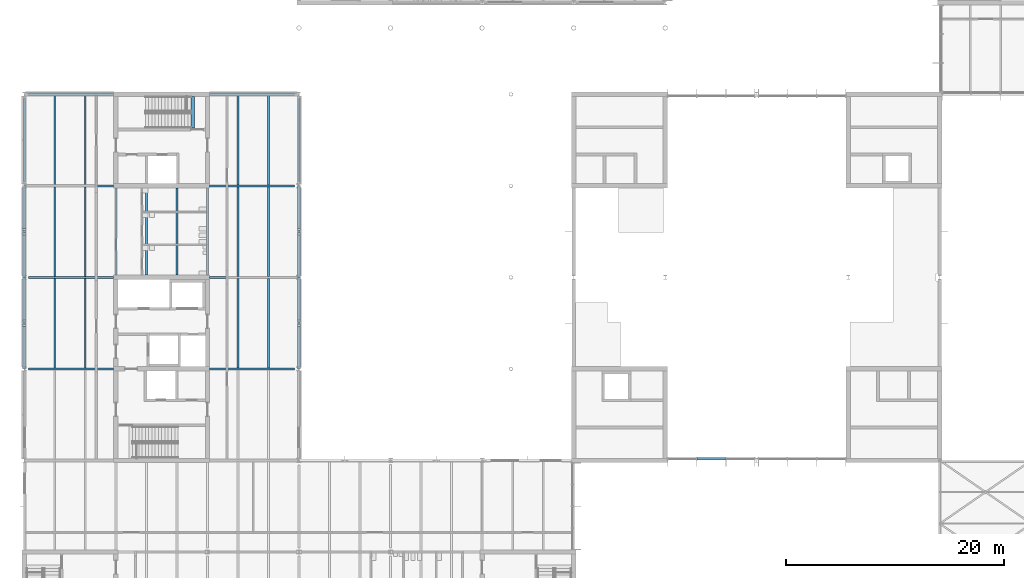
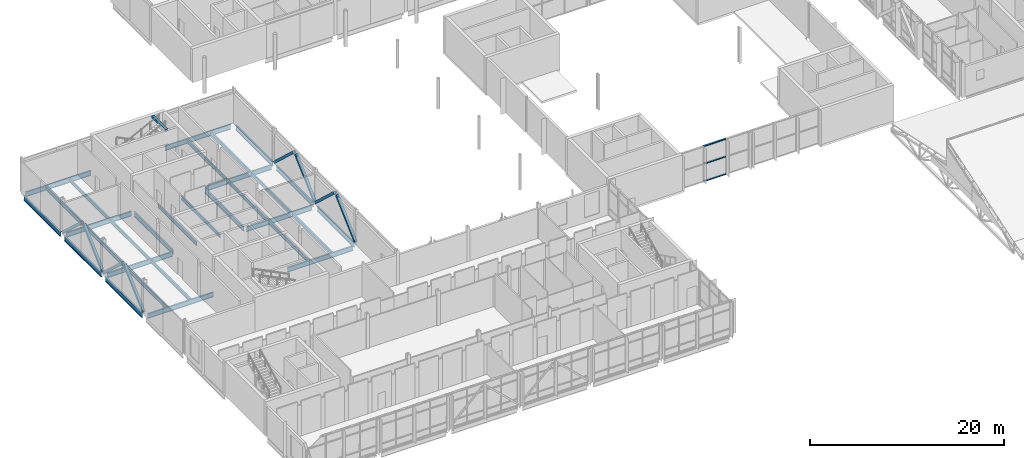
# One storey, part 16 of 89: 31 beams, 11 members, 1 element without a shape of its own.
"""IFC4 building model written with IfcOpenShell, lengths in metres."""

from ifc_helpers import new_model, si_unit, direction, frame, origin, origin_2d, place, context, subcontext, project, spatial, rectangle, hollow_rectangle, i_section, extrude, material, material_profile, profile_set, type_object, element, aggregate, save


model = new_model("IFC4")

# Units and contexts
model_context = context("Model", 3, precision=1e-05, world=origin(), true_north=direction((0.0, 1.0)))
body_context = subcontext(model_context, "Body", "Model", "MODEL_VIEW")
ifc_project = project(units=[si_unit("LENGTHUNIT", "METRE"), si_unit("AREAUNIT", "SQUARE_METRE"), si_unit("VOLUMEUNIT", "CUBIC_METRE"), si_unit("PLANEANGLEUNIT", "RADIAN"), si_unit("MASSUNIT", "GRAM", prefix="KILO")], contexts=[model_context])

# Site, building, storey
site_placement = place(None, origin())
site = spatial("IfcSite", under=ifc_project, at=site_placement, CompositionType="ELEMENT")
building_placement = place(site_placement, origin())
building = spatial("IfcBuilding", under=site, at=building_placement, Name="Hlaing Beacon Police Headquarters", CompositionType="ELEMENT")
storey_placement = place(building_placement, frame((0.0, 0.0, 9.89990234375)))
storey = spatial("IfcBuildingStorey", under=building, at=storey_placement, Name="L02", CompositionType="ELEMENT", Elevation=9.89990234375)

# Members
ifc_material_1 = material(Name="Steel ASTM A500 Grade C", Category="steel")
ifc_material_profile_1 = material_profile(ifc_material_1, hollow_rectangle(XDim=0.3046875, YDim=0.3046875, WallThickness=0.015869140625, at=origin_2d()), Name="HSS12x12x5/8")
ifc_profile_set_1 = profile_set([ifc_material_profile_1], Name="Steel ASTM A500 Grade C")
member_type_1 = type_object("IfcMemberType", Name="Chevron brace HSS12x12x5/8", PredefinedType="BRACE", material=ifc_profile_set_1)
for number, where, z_axis, x_axis, name in (
    (1, (8.39990234375, 42.087890625, 0.112060546875), (0.0, 0.733122566233, 0.680096539382), (-1.0, 0.0, 0.0), "STR-BR-L02-B6a"),
    (2, (8.39990234375, 50.31201171875, 0.112060546875), (0.0, -0.733122566233, 0.680096539382), (1.0, 0.0, 0.0), "STR-BR-L02-B6b"),
):
    element("IfcMember", number, at=place(storey_placement, frame(where, z_axis=z_axis, x_axis=x_axis)), inside=storey, type_object=member_type_1, Name=name, PredefinedType="BRACE", context=body_context, shape_type="SweptSolid", body=[
        extrude(hollow_rectangle(XDim=0.3046875, YDim=0.3046875, WallThickness=0.015869140625, at=origin_2d()), origin(), (0.0, 0.0, 1.0), 5.336181640625),
    ])
for number, where, z_axis, x_axis, name in (
    (3, (8.39990234375, 50.488037109375, 0.112060546875), (0.0, 0.733101403652, 0.680119351263), (-1.0, 0.0, 0.0), "STR-BR-L02-B7a"),
    (4, (8.39990234375, 58.7119140625, 0.112060546875), (0.0, -0.733101403652, 0.680119351263), (1.0, 0.0, 0.0), "STR-BR-L02-B7b"),
):
    element("IfcMember", number, at=place(storey_placement, frame(where, z_axis=z_axis, x_axis=x_axis)), inside=storey, type_object=member_type_1, Name=name, PredefinedType="BRACE", context=body_context, shape_type="SweptSolid", body=[
        extrude(hollow_rectangle(XDim=0.3046875, YDim=0.3046875, WallThickness=0.015869140625, at=origin_2d()), origin(), (0.0, 0.0, 1.0), 5.3359375),
    ])
for number, where, z_axis, x_axis, name in (
    (5, (33.60009765625, 42.087890625, 0.112060546875), (0.0, 0.733122566233, 0.680096539382), (-1.0, 0.0, 0.0), "STR-BR-L02-E6a"),
    (6, (33.60009765625, 50.31201171875, 0.112060546875), (0.0, -0.733122566233, 0.680096539382), (1.0, 0.0, 0.0), "STR-BR-L02-E6b"),
):
    element("IfcMember", number, at=place(storey_placement, frame(where, z_axis=z_axis, x_axis=x_axis)), inside=storey, type_object=member_type_1, Name=name, PredefinedType="BRACE", context=body_context, shape_type="SweptSolid", body=[
        extrude(hollow_rectangle(XDim=0.3046875, YDim=0.3046875, WallThickness=0.015869140625, at=origin_2d()), origin(), (0.0, 0.0, 1.0), 5.336181640625),
    ])
for number, where, z_axis, x_axis, name in (
    (7, (33.60009765625, 50.488037109375, 0.112060546875), (0.0, 0.733101403652, 0.680119351263), (-1.0, 0.0, 0.0), "STR-BR-L02-E7a"),
    (8, (33.60009765625, 58.7119140625, 0.112060546875), (0.0, -0.733101403652, 0.680119351263), (1.0, 0.0, 0.0), "STR-BR-L02-E7b"),
):
    element("IfcMember", number, at=place(storey_placement, frame(where, z_axis=z_axis, x_axis=x_axis)), inside=storey, type_object=member_type_1, Name=name, PredefinedType="BRACE", context=body_context, shape_type="SweptSolid", body=[
        extrude(hollow_rectangle(XDim=0.3046875, YDim=0.3046875, WallThickness=0.015869140625, at=origin_2d()), origin(), (0.0, 0.0, 1.0), 5.3359375),
    ])

# Beams
ifc_material_2 = material(Name="Steel ASTM A992 Grade 50", Category="steel")
ifc_material_profile_2 = material_profile(ifc_material_2, i_section(OverallWidth=0.177978515625, OverallDepth=0.599365234375, WebThickness=0.010009765625, FlangeThickness=0.012939453125, FilletRadius=0.012939453125, at=origin_2d()), Name="W24x55")
ifc_profile_set_2 = profile_set([ifc_material_profile_2], Name="Steel ASTM A992 Grade 50")
beam_type_1 = type_object("IfcBeamType", Name="Girder W24x55", PredefinedType="BEAM", material=ifc_profile_set_2)
for number, where, z_axis, x_axis, name in (
    (9, (8.800048828125, 42.0, -0.4296875), (1.0, 0.0, 0.0), (0.0, 1.0, 0.0), "STR-BM-L02-GX-B6-C6"),
    (10, (25.39990234375, 42.0, -0.4296875), (1.0, 0.0, 0.0), (0.0, 1.0, 0.0), "STR-BM-L02-GX-D6-E6"),
    (11, (8.800048828125, 50.39990234375, -0.4296875), (1.0, 0.0, 0.0), (0.0, 1.0, 0.0), "STR-BM-L02-GX-B7-C7"),
    (12, (25.39990234375, 50.39990234375, -0.4296875), (1.0, 0.0, 0.0), (0.0, 1.0, 0.0), "STR-BM-L02-GX-D7-E7"),
    (13, (8.800048828125, 58.800048828125, -0.4296875), (1.0, 0.0, 0.0), (0.0, 1.0, 0.0), "STR-BM-L02-GX-B8-C8"),
    (14, (25.39990234375, 58.800048828125, -0.4296875), (1.0, 0.0, 0.0), (0.0, 1.0, 0.0), "STR-BM-L02-GX-D8-E8"),
    (15, (8.800048828125, 67.199951171875, -0.4296875), (1.0, 0.0, 0.0), (0.0, 1.0, 0.0), "STR-BM-L02-GX-B9-C9"),
    (16, (25.39990234375, 67.199951171875, -0.4296875), (1.0, 0.0, 0.0), (0.0, 1.0, 0.0), "STR-BM-L02-GX-D9-E9"),
):
    element("IfcBeam", number, at=place(storey_placement, frame(where, z_axis=z_axis, x_axis=x_axis)), inside=storey, type_object=beam_type_1, Name=name, PredefinedType="BEAM", context=body_context, shape_type="SweptSolid", body=[
        extrude(i_section(OverallWidth=0.177978515625, OverallDepth=0.599365234375, WebThickness=0.010009765625, FlangeThickness=0.012939453125, FilletRadius=0.012939453125, at=origin_2d()), origin(), (0.0, 0.0, 1.0), 7.800048828125),
    ])
beam_1_placement = place(storey_placement, frame((8.39990234375, 42.39990234375, -0.4296875), z_axis=(0.0, 1.0, 0.0), x_axis=(-1.0, 0.0, 0.0)))
element("IfcBeam", 17, at=beam_1_placement, inside=storey, type_object=beam_type_1, Name="STR-BM-L02-GY-B6-B7", PredefinedType="BEAM", context=body_context, shape_type="SweptSolid", body=[
    extrude(i_section(OverallWidth=0.177978515625, OverallDepth=0.599365234375, WebThickness=0.010009765625, FlangeThickness=0.012939453125, FilletRadius=0.012939453125, at=origin_2d()), origin(), (0.0, 0.0, 1.0), 7.60009765625),
])
beam_2_placement = place(storey_placement, frame((8.39990234375, 50.800048828125, -0.4296875), z_axis=(0.0, 1.0, 0.0), x_axis=(-1.0, 0.0, 0.0)))
element("IfcBeam", 18, at=beam_2_placement, inside=storey, type_object=beam_type_1, Name="STR-BM-L02-GY-B7-B8", PredefinedType="BEAM", context=body_context, shape_type="SweptSolid", body=[
    extrude(i_section(OverallWidth=0.177978515625, OverallDepth=0.599365234375, WebThickness=0.010009765625, FlangeThickness=0.012939453125, FilletRadius=0.012939453125, at=origin_2d()), origin(), (0.0, 0.0, 1.0), 7.599853515625),
])
beam_3_placement = place(storey_placement, frame((8.39990234375, 59.199951171875, -0.4296875), z_axis=(0.0, 1.0, 0.0), x_axis=(-1.0, 0.0, 0.0)))
element("IfcBeam", 19, at=beam_3_placement, inside=storey, type_object=beam_type_1, Name="STR-BM-L02-GY-B8-B9", PredefinedType="BEAM", context=body_context, shape_type="SweptSolid", body=[
    extrude(i_section(OverallWidth=0.177978515625, OverallDepth=0.599365234375, WebThickness=0.010009765625, FlangeThickness=0.012939453125, FilletRadius=0.012939453125, at=origin_2d()), origin(), (0.0, 0.0, 1.0), 7.60009765625),
])
for number, where, z_axis, x_axis, name in (
    (20, (16.800048828125, 50.60009765625, -0.4296875), (0.0, 1.0, 0.0), (-1.0, 0.0, 0.0), "STR-BM-L02-GY-C7-C8"),
    (21, (25.199951171875, 50.60009765625, -0.4296875), (0.0, 1.0, 0.0), (-1.0, 0.0, 0.0), "STR-BM-L02-GY-D7-D8"),
):
    element("IfcBeam", number, at=place(storey_placement, frame(where, z_axis=z_axis, x_axis=x_axis)), inside=storey, type_object=beam_type_1, Name=name, PredefinedType="BEAM", context=body_context, shape_type="SweptSolid", body=[
        extrude(i_section(OverallWidth=0.177978515625, OverallDepth=0.599365234375, WebThickness=0.010009765625, FlangeThickness=0.012939453125, FilletRadius=0.012939453125, at=origin_2d()), origin(), (0.0, 0.0, 1.0), 8.0),
    ])
beam_4_placement = place(storey_placement, frame((33.60009765625, 42.39990234375, -0.4296875), z_axis=(0.0, 1.0, 0.0), x_axis=(-1.0, 0.0, 0.0)))
element("IfcBeam", 22, at=beam_4_placement, inside=storey, type_object=beam_type_1, Name="STR-BM-L02-GY-E6-E7", PredefinedType="BEAM", context=body_context, shape_type="SweptSolid", body=[
    extrude(i_section(OverallWidth=0.177978515625, OverallDepth=0.599365234375, WebThickness=0.010009765625, FlangeThickness=0.012939453125, FilletRadius=0.012939453125, at=origin_2d()), origin(), (0.0, 0.0, 1.0), 7.60009765625),
])
beam_5_placement = place(storey_placement, frame((33.60009765625, 50.800048828125, -0.4296875), z_axis=(0.0, 1.0, 0.0), x_axis=(-1.0, 0.0, 0.0)))
element("IfcBeam", 23, at=beam_5_placement, inside=storey, type_object=beam_type_1, Name="STR-BM-L02-GY-E7-E8", PredefinedType="BEAM", context=body_context, shape_type="SweptSolid", body=[
    extrude(i_section(OverallWidth=0.177978515625, OverallDepth=0.599365234375, WebThickness=0.010009765625, FlangeThickness=0.012939453125, FilletRadius=0.012939453125, at=origin_2d()), origin(), (0.0, 0.0, 1.0), 7.599853515625),
])
beam_6_placement = place(storey_placement, frame((33.60009765625, 59.199951171875, -0.4296875), z_axis=(0.0, 1.0, 0.0), x_axis=(-1.0, 0.0, 0.0)))
element("IfcBeam", 24, at=beam_6_placement, inside=storey, type_object=beam_type_1, Name="STR-BM-L02-GY-E8-E9", PredefinedType="BEAM", context=body_context, shape_type="SweptSolid", body=[
    extrude(i_section(OverallWidth=0.177978515625, OverallDepth=0.599365234375, WebThickness=0.010009765625, FlangeThickness=0.012939453125, FilletRadius=0.012939453125, at=origin_2d()), origin(), (0.0, 0.0, 1.0), 7.60009765625),
])
ifc_material_3 = material(Name="Steel ASTM A992 Grade 50", Category="steel")
ifc_material_profile_3 = material_profile(ifc_material_3, i_section(OverallWidth=0.15234375, OverallDepth=0.449462890625, WebThickness=0.007568359375, FlangeThickness=0.0107421875, FilletRadius=0.01025390625, at=origin_2d()), Name="W18x35")
ifc_profile_set_3 = profile_set([ifc_material_profile_3], Name="Steel ASTM A992 Grade 50")
beam_type_2 = type_object("IfcBeamType", Name="Secondary beam W18x35", PredefinedType="BEAM", material=ifc_profile_set_3)
for number, where, z_axis, x_axis, name in (
    (25, (11.199951171875, 42.089111328125, -0.354736328125), (0.0, 1.0, 0.0), (-1.0, 0.0, 0.0), "STR-BM-L02-SB-B6-y1"),
    (26, (14.0, 42.089111328125, -0.354736328125), (0.0, 1.0, 0.0), (-1.0, 0.0, 0.0), "STR-BM-L02-SB-B6-y2"),
    (27, (11.199951171875, 50.489013671875, -0.354736328125), (0.0, 1.0, 0.0), (-1.0, 0.0, 0.0), "STR-BM-L02-SB-B7-y1"),
    (28, (14.0, 50.489013671875, -0.354736328125), (0.0, 1.0, 0.0), (-1.0, 0.0, 0.0), "STR-BM-L02-SB-B7-y2"),
):
    element("IfcBeam", number, at=place(storey_placement, frame(where, z_axis=z_axis, x_axis=x_axis)), inside=storey, type_object=beam_type_2, Name=name, PredefinedType="BEAM", context=body_context, shape_type="SweptSolid", body=[
        extrude(i_section(OverallWidth=0.15234375, OverallDepth=0.449462890625, WebThickness=0.007568359375, FlangeThickness=0.0107421875, FilletRadius=0.01025390625, at=origin_2d()), origin(), (0.0, 0.0, 1.0), 8.221923828125),
    ])
for number, where, z_axis, x_axis, name in (
    (29, (11.199951171875, 58.888916015625, -0.354736328125), (0.0, 1.0, 0.0), (-1.0, 0.0, 0.0), "STR-BM-L02-SB-B8-y1"),
    (30, (14.0, 58.888916015625, -0.354736328125), (0.0, 1.0, 0.0), (-1.0, 0.0, 0.0), "STR-BM-L02-SB-B8-y2"),
):
    element("IfcBeam", number, at=place(storey_placement, frame(where, z_axis=z_axis, x_axis=x_axis)), inside=storey, type_object=beam_type_2, Name=name, PredefinedType="BEAM", context=body_context, shape_type="SweptSolid", body=[
        extrude(i_section(OverallWidth=0.15234375, OverallDepth=0.449462890625, WebThickness=0.007568359375, FlangeThickness=0.0107421875, FilletRadius=0.01025390625, at=origin_2d()), origin(), (0.0, 0.0, 1.0), 8.22216796875),
    ])
for number, where, z_axis, x_axis, name in (
    (31, (19.60009765625, 50.60009765625, -0.354736328125), (0.0, 1.0, 0.0), (-1.0, 0.0, 0.0), "STR-BM-L02-SB-C7-y1"),
    (32, (22.39990234375, 50.60009765625, -0.354736328125), (0.0, 1.0, 0.0), (-1.0, 0.0, 0.0), "STR-BM-L02-SB-C7-y2"),
):
    element("IfcBeam", number, at=place(storey_placement, frame(where, z_axis=z_axis, x_axis=x_axis)), inside=storey, type_object=beam_type_2, Name=name, PredefinedType="BEAM", context=body_context, shape_type="SweptSolid", body=[
        extrude(i_section(OverallWidth=0.15234375, OverallDepth=0.449462890625, WebThickness=0.007568359375, FlangeThickness=0.0107421875, FilletRadius=0.01025390625, at=origin_2d()), origin(), (0.0, 0.0, 1.0), 8.0),
    ])
for number, where, z_axis, x_axis, name in (
    (33, (28.0, 42.089111328125, -0.354736328125), (0.0, 1.0, 0.0), (-1.0, 0.0, 0.0), "STR-BM-L02-SB-D6-y1"),
    (34, (30.800048828125, 42.089111328125, -0.354736328125), (0.0, 1.0, 0.0), (-1.0, 0.0, 0.0), "STR-BM-L02-SB-D6-y2"),
    (35, (28.0, 50.489013671875, -0.354736328125), (0.0, 1.0, 0.0), (-1.0, 0.0, 0.0), "STR-BM-L02-SB-D7-y1"),
    (36, (30.800048828125, 50.489013671875, -0.354736328125), (0.0, 1.0, 0.0), (-1.0, 0.0, 0.0), "STR-BM-L02-SB-D7-y2"),
):
    element("IfcBeam", number, at=place(storey_placement, frame(where, z_axis=z_axis, x_axis=x_axis)), inside=storey, type_object=beam_type_2, Name=name, PredefinedType="BEAM", context=body_context, shape_type="SweptSolid", body=[
        extrude(i_section(OverallWidth=0.15234375, OverallDepth=0.449462890625, WebThickness=0.007568359375, FlangeThickness=0.0107421875, FilletRadius=0.01025390625, at=origin_2d()), origin(), (0.0, 0.0, 1.0), 8.221923828125),
    ])
for number, where, z_axis, x_axis, name in (
    (37, (28.0, 58.888916015625, -0.354736328125), (0.0, 1.0, 0.0), (-1.0, 0.0, 0.0), "STR-BM-L02-SB-D8-y1"),
    (38, (30.800048828125, 58.888916015625, -0.354736328125), (0.0, 1.0, 0.0), (-1.0, 0.0, 0.0), "STR-BM-L02-SB-D8-y2"),
):
    element("IfcBeam", number, at=place(storey_placement, frame(where, z_axis=z_axis, x_axis=x_axis)), inside=storey, type_object=beam_type_2, Name=name, PredefinedType="BEAM", context=body_context, shape_type="SweptSolid", body=[
        extrude(i_section(OverallWidth=0.15234375, OverallDepth=0.449462890625, WebThickness=0.007568359375, FlangeThickness=0.0107421875, FilletRadius=0.01025390625, at=origin_2d()), origin(), (0.0, 0.0, 1.0), 8.22216796875),
    ])
ifc_material_4 = material(Name="Concrete C40/50", Category="concrete")
ifc_material_profile_4 = material_profile(ifc_material_4, rectangle(XDim=0.300048828125, YDim=0.25, at=origin_2d()), Name="Stair arrival beam 300x250")
ifc_profile_set_4 = profile_set([ifc_material_profile_4], Name="Concrete C40/50")
beam_type_3 = type_object("IfcBeamType", Name="Stair arrival beam 300x250", PredefinedType="BEAM", material=ifc_profile_set_4)
beam_7_placement = place(storey_placement, frame((23.840087890625, 67.0, 4.2451171875), z_axis=(0.0, -1.0, 0.0), x_axis=(1.0, 0.0, 0.0)))
element("IfcBeam", 39, at=beam_7_placement, inside=storey, type_object=beam_type_3, Name="Stair arrival beam ST-P", PredefinedType="BEAM", context=body_context, shape_type="SweptSolid", body=[
    extrude(rectangle(XDim=0.300048828125, YDim=0.25, at=origin_2d()), origin(), (0.0, 0.0, 1.0), 2.89990234375),
])

# Curtain wall, members
ifc_material_5 = material(Name="Aluminium frame with solar control glazing", Category="aluminium")
curtain_wall_type = type_object("IfcCurtainWallType", Name="Structural glazed gable wall 8.07 x 4.50", PredefinedType="NOTDEFINED", material=ifc_material_5)
curtain_wall_placement = place(storey_placement, origin())
curtain_wall = element("IfcCurtainWall", 40, at=curtain_wall_placement, inside=storey, type_object=curtain_wall_type, Name="ENV-CW-L02-S005", PredefinedType="NOTDEFINED")
ifc_material_6 = material(Name="Aluminium", Category="aluminium")
ifc_material_profile_5 = material_profile(ifc_material_6, rectangle(XDim=0.199951171875, YDim=0.10009765625, at=origin_2d()), Name="Transom 200x100")
ifc_profile_set_5 = profile_set([ifc_material_profile_5], Name="Aluminium")
member_type_2 = type_object("IfcMemberType", Name="Transom 200x100", PredefinedType="USERDEFINED", material=ifc_profile_set_5)
member_1_placement = place(storey_placement, frame((70.130615234375, 33.75, 0.050048828125), z_axis=(1.0, 0.0, 0.0), x_axis=(0.0, 1.0, 0.0)))
member_1 = element("IfcMember", 41, at=member_1_placement, type_object=member_type_2, Name="CW-L02-S005 transom 2.1", ObjectType="TRANSOM", PredefinedType="USERDEFINED", context=body_context, shape_type="SweptSolid", body=[
    extrude(rectangle(XDim=0.199951171875, YDim=0.10009765625, at=origin_2d()), origin(), (0.0, 0.0, 1.0), 2.610595703125),
])
member_2_placement = place(storey_placement, frame((70.130615234375, 33.75, 2.25), z_axis=(1.0, 0.0, 0.0), x_axis=(0.0, 1.0, 0.0)))
member_2 = element("IfcMember", 42, at=member_2_placement, type_object=member_type_2, Name="CW-L02-S005 transom 2.2", ObjectType="TRANSOM", PredefinedType="USERDEFINED", context=body_context, shape_type="SweptSolid", body=[
    extrude(rectangle(XDim=0.199951171875, YDim=0.10009765625, at=origin_2d()), origin(), (0.0, 0.0, 1.0), 2.610595703125),
])
member_3_placement = place(storey_placement, frame((70.130615234375, 33.75, 4.4501953125), z_axis=(1.0, 0.0, 0.0), x_axis=(0.0, 1.0, 0.0)))
member_3 = element("IfcMember", 43, at=member_3_placement, type_object=member_type_2, Name="CW-L02-S005 transom 2.3", ObjectType="TRANSOM", PredefinedType="USERDEFINED", context=body_context, shape_type="SweptSolid", body=[
    extrude(rectangle(XDim=0.199951171875, YDim=0.10009765625, at=origin_2d()), origin(), (0.0, 0.0, 1.0), 2.610595703125),
])
aggregate(curtain_wall, [member_1, member_2, member_3])

save(model, "model.ifc")
